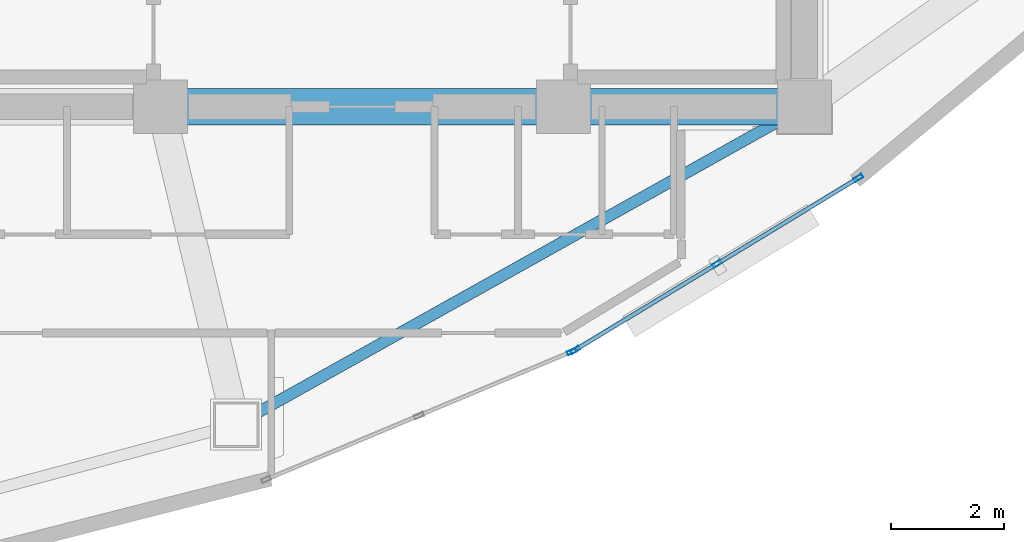
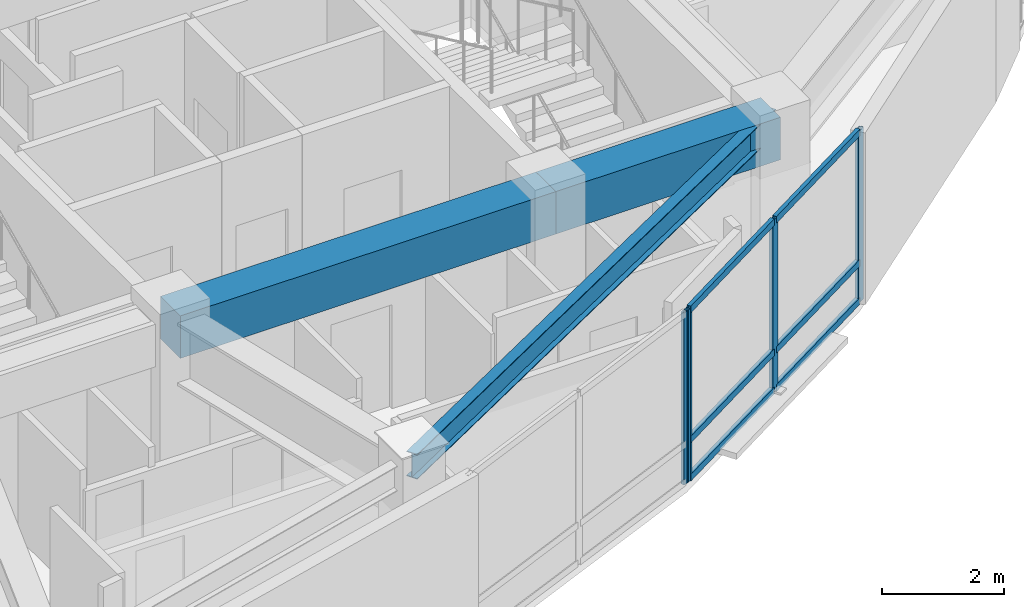
# One storey, part 5 of 15: 10 members, 3 beams, 2 elements without a shape of their own.
"""IFC4 building model written with IfcOpenShell, lengths in metres."""

import ifcopenshell
import ifcopenshell.guid

model = None  # the IFC model being written
_history = None  # IfcOwnerHistory: only IFC2X3 demands one
_inside = {}  # id of a spatial element -> (the spatial element, [elements in it])
_under = {}  # id of a project, library or spatial element -> (it, [spatial elements below it])
_declared = {}  # id of a project -> (the project, [libraries it declares])
_typed = {}  # id of a type object -> (the type object, [elements of that type])
_made_of = {}  # id of a material, layer set ... -> (it, [elements and type objects made of it])


def new_model(schema):
    """Start an empty IFC model of exactly this schema.

    Asked for "IFC4X3", IfcOpenShell would pick the latest addendum, in which some entities
    have other attributes; the version numbers below select the first issue.
    IFC2X3 requires an IfcOwnerHistory on every rooted entity: one is made here for all.
    """
    global model, _history
    if schema == "IFC4X3":
        model = ifcopenshell.file(schema_version=(4, 3, 0, 0))
    else:
        model = ifcopenshell.file(schema=schema)
    _inside.clear()
    _under.clear()
    _declared.clear()
    _typed.clear()
    _made_of.clear()
    _history = None
    if model.schema == "IFC2X3":
        org = make("IfcOrganization", Name="unknown")
        user = make(
            "IfcPersonAndOrganization",
            ThePerson=make("IfcPerson", FamilyName="unknown"),
            TheOrganization=org,
        )
        app = make(
            "IfcApplication",
            ApplicationDeveloper=org,
            Version="unknown",
            ApplicationFullName="unknown",
            ApplicationIdentifier="unknown",
        )
        _history = make(
            "IfcOwnerHistory",
            OwningUser=user,
            OwningApplication=app,
            ChangeAction="ADDED",
            CreationDate=0,
        )
    return model


def make(cls, **values):
    """One entity of the class cls with the attributes given. An attribute that is None is left unset."""
    return model.create_entity(
        cls, **{name: value for name, value in values.items() if value is not None}
    )


def rooted(cls, **values):
    """An entity with a GlobalId (a new one), such as an element, a storey or a relation."""
    return make(cls, GlobalId=ifcopenshell.guid.new(), OwnerHistory=_history, **values)


def si_unit(unit_type, name, prefix=None):
    """IfcSIUnit, for example si_unit("LENGTHUNIT", "METRE", prefix="MILLI")."""
    return make("IfcSIUnit", UnitType=unit_type, Prefix=prefix, Name=name)


def assignment(units):
    """IfcUnitAssignment: the units of a project."""
    return None if units is None else make("IfcUnitAssignment", Units=units)


def point(xyz):
    """IfcCartesianPoint."""
    return None if xyz is None else make("IfcCartesianPoint", Coordinates=xyz)


def direction(xyz):
    """IfcDirection."""
    return None if xyz is None else make("IfcDirection", DirectionRatios=xyz)


def frame(location, z_axis=None, x_axis=None):
    """IfcAxis2Placement3D, a coordinate frame: its origin and axes. An axis left out is left unset."""
    return make(
        "IfcAxis2Placement3D",
        Location=point(location),
        Axis=direction(z_axis),
        RefDirection=direction(x_axis),
    )


def frame_2d(location, x_axis=None):
    """IfcAxis2Placement2D, a coordinate frame in the plane: its origin and x axis."""
    return make(
        "IfcAxis2Placement2D", Location=point(location), RefDirection=direction(x_axis)
    )


def origin():
    """The frame at (0, 0, 0) with its axes left unset."""
    return frame((0.0, 0.0, 0.0))


def origin_2d():
    """The frame at (0, 0) in the plane with its x axis left unset."""
    return frame_2d((0.0, 0.0))


def place(relative_to, where):
    """IfcLocalPlacement: puts the frame where relative to a parent placement (None: the world)."""
    return make(
        "IfcLocalPlacement", PlacementRelTo=relative_to, RelativePlacement=where
    )


def context(
    kind, dimensions, precision=None, world=None, true_north=None, identifier=None
):
    """IfcGeometricRepresentationContext, for example the 3D "Model" context."""
    return make(
        "IfcGeometricRepresentationContext",
        ContextIdentifier=identifier,
        ContextType=kind,
        CoordinateSpaceDimension=dimensions,
        Precision=precision,
        WorldCoordinateSystem=world,
        TrueNorth=true_north,
    )


def subcontext(parent, identifier, kind, view, scale=None):
    """IfcGeometricRepresentationSubContext, for example "Body" below "Model"."""
    return make(
        "IfcGeometricRepresentationSubContext",
        ContextIdentifier=identifier,
        ContextType=kind,
        ParentContext=parent,
        TargetScale=scale,
        TargetView=view,
    )


def project(units=None, contexts=None):
    """IfcProject with its units and contexts."""
    return rooted(
        "IfcProject",
        Name="project",
        RepresentationContexts=contexts,
        UnitsInContext=assignment(units),
    )


def spatial(cls, under=None, at=None, **own):
    """A site, building, storey or space (cls), placed at a placement, below another one or the project."""
    s = rooted(cls, ObjectPlacement=at, **own)
    if under is not None:
        _under.setdefault(under.id(), (under, []))[1].append(s)
    return s


def profile(cls, at=None, kind="AREA", **sizes):
    """A parametric profile (cls). Its sizes go by their IFC names, for example OverallWidth=200.0."""
    return make(cls, ProfileType=kind, Position=at, **sizes)


def rectangle(**sizes):
    """IfcRectangleProfileDef."""
    return profile("IfcRectangleProfileDef", **sizes)


def hollow_rectangle(**sizes):
    """IfcRectangleHollowProfileDef."""
    return profile("IfcRectangleHollowProfileDef", **sizes)


def i_section(**sizes):
    """IfcIShapeProfileDef."""
    return profile("IfcIShapeProfileDef", **sizes)


def extrude(swept, where, along, depth):
    """IfcExtrudedAreaSolid: the profile swept, set in the frame where, extruded along a direction by depth."""
    return make(
        "IfcExtrudedAreaSolid",
        SweptArea=swept,
        Position=where,
        ExtrudedDirection=direction(along),
        Depth=depth,
    )


def shape(context_of_items, identifier, shape_type, items):
    """IfcShapeRepresentation: the items that make up one representation, for example the "Body"."""
    return make(
        "IfcShapeRepresentation",
        ContextOfItems=context_of_items,
        RepresentationIdentifier=identifier,
        RepresentationType=shape_type,
        Items=items,
    )


def material(Name=None, Category=None):
    """IfcMaterial."""
    return make("IfcMaterial", Name=Name, Category=Category)


def layer(
    of_material, thickness, ventilated=None, Name=None, Category=None, Priority=None
):
    """IfcMaterialLayer: one layer of a wall or slab, of a material (None: an air gap)."""
    return make(
        "IfcMaterialLayer",
        Material=of_material,
        LayerThickness=thickness,
        IsVentilated=ventilated,
        Name=Name,
        Category=Category,
        Priority=Priority,
    )


def layer_set(layers, Name=None):
    """IfcMaterialLayerSet."""
    return make("IfcMaterialLayerSet", MaterialLayers=layers, LayerSetName=Name)


def material_profile(
    of_material, cross_section, Name=None, Category=None, Priority=None
):
    """IfcMaterialProfile: a cross section and its material."""
    return make(
        "IfcMaterialProfile",
        Name=Name,
        Material=of_material,
        Profile=cross_section,
        Priority=Priority,
        Category=Category,
    )


def profile_set(profiles, Name=None, composite=None):
    """IfcMaterialProfileSet."""
    return make(
        "IfcMaterialProfileSet",
        Name=Name,
        MaterialProfiles=profiles,
        CompositeProfile=composite,
    )


def made_of(thing, what):
    """Note that an element or type object is made of a material, layer set ...; save() writes the relation."""
    if what is not None:
        _made_of.setdefault(what.id(), (what, []))[1].append(thing)
    return thing


def type_object(cls, material=None, **own):
    """A type object (cls), such as IfcWallType, which elements share."""
    return made_of(rooted(cls, **own), material)


def element(
    cls,
    number,
    at=None,
    inside=None,
    cuts=None,
    type_object=None,
    material=None,
    context=None,
    identifier="Body",
    shape_type=None,
    held_by="IfcProductDefinitionShape",
    body=None,
    shapes=None,
    **own,
):
    """One element of the class cls, such as IfcWall. Its Tag is "e" and its number.

    at: its placement. inside: the storey or other place that contains it. cuts: it is an
    opening in that element (IfcRelVoidsElement). A single representation is given by context,
    identifier, shape_type and body (its items); several are given by shapes. held_by: the class
    of the entity that holds the representations. save() writes the other relations.
    """
    e = rooted(cls, Tag="e%d" % number, ObjectPlacement=at, **own)
    if body is not None:
        shapes = [shape(context, identifier, shape_type, body)]
    if shapes is not None:
        e.Representation = make(held_by, Representations=shapes)
    if inside is not None:
        _inside.setdefault(inside.id(), (inside, []))[1].append(e)
    if cuts is not None:
        rooted(
            "IfcRelVoidsElement", RelatingBuildingElement=cuts, RelatedOpeningElement=e
        )
    if type_object is not None:
        _typed.setdefault(type_object.id(), (type_object, []))[1].append(e)
    return made_of(e, material)


def aggregate(whole, parts):
    """IfcRelAggregates: a whole, such as a stair, and the parts it consists of."""
    return rooted("IfcRelAggregates", RelatingObject=whole, RelatedObjects=parts)


def save(model, path):
    """Write the relations noted so far, then the file.

    IfcRelAggregates (storeys below a building ...), IfcRelContainedInSpatialStructure (elements
    in a storey), IfcRelDefinesByType, IfcRelAssociatesMaterial and IfcRelDeclares: one each for
    every whole, place, type object, material and project.
    """
    for whole, parts in _under.values():
        aggregate(whole, parts)
    for where, things in _inside.values():
        rooted(
            "IfcRelContainedInSpatialStructure",
            RelatedElements=things,
            RelatingStructure=where,
        )
    for kind, things in _typed.values():
        rooted("IfcRelDefinesByType", RelatedObjects=things, RelatingType=kind)
    for what, things in _made_of.values():
        rooted("IfcRelAssociatesMaterial", RelatedObjects=things, RelatingMaterial=what)
    for by, libraries in _declared.values():
        rooted("IfcRelDeclares", RelatingContext=by, RelatedDefinitions=libraries)
    model.write(path)


model = new_model("IFC4")

# Units and contexts
model_context = context("Model", 3, precision=1e-05, world=origin(), true_north=direction((0.0, 1.0)))
body_context = subcontext(model_context, "Body", "Model", "MODEL_VIEW")
ifc_project = project(units=[si_unit("LENGTHUNIT", "METRE"), si_unit("AREAUNIT", "SQUARE_METRE"), si_unit("VOLUMEUNIT", "CUBIC_METRE"), si_unit("PLANEANGLEUNIT", "RADIAN"), si_unit("MASSUNIT", "GRAM", prefix="KILO")], contexts=[model_context])

# Site, building, storey
site_placement = place(None, origin())
site = spatial("IfcSite", under=ifc_project, at=site_placement, CompositionType="ELEMENT")
building_placement = place(site_placement, origin())
building = spatial("IfcBuilding", under=site, at=building_placement, Name="Menara Vayukalpa", CompositionType="ELEMENT")
storey_placement = place(building_placement, frame((0.0, 0.0, 295.5)))
storey = spatial("IfcBuildingStorey", under=building, at=storey_placement, Name="L75", CompositionType="ELEMENT", Elevation=295.5)

# Beams
ifc_material_1 = material(Name="Concrete C60/75", Category="concrete")
ifc_material_profile_1 = material_profile(ifc_material_1, rectangle(XDim=0.64990234375, YDim=0.85009765625, at=origin_2d()), Name="RC 650x850")
ifc_profile_set_1 = profile_set([ifc_material_profile_1], Name="Concrete C60/75")
beam_type_1 = type_object("IfcBeamType", Name="BM-CB1", PredefinedType="BEAM", material=ifc_profile_set_1)
beam_1_placement = place(storey_placement, frame((22.050048828125, 17.199951171875, 3.014892578125), z_axis=(1.0, 0.0, 0.0), x_axis=(0.0, 1.0, 0.0)))
element("IfcBeam", 1, at=beam_1_placement, inside=storey, type_object=beam_type_1, Name="L75 Core Tie Beam CBR2", PredefinedType="BEAM", context=body_context, shape_type="SweptSolid", body=[
    extrude(rectangle(XDim=0.64990234375, YDim=0.85009765625, at=origin_2d()), origin(), (0.0, 0.0, 1.0), 7.099853515625),
])
beam_2_placement = place(storey_placement, frame((29.14990234375, 17.199951171875, 3.014892578125), z_axis=(1.0, 0.0, 0.0), x_axis=(0.0, 1.0, 0.0)))
element("IfcBeam", 2, at=beam_2_placement, inside=storey, type_object=beam_type_1, Name="L75 Core Tie Beam CBR3", PredefinedType="BEAM", context=body_context, shape_type="SweptSolid", body=[
    extrude(rectangle(XDim=0.64990234375, YDim=0.85009765625, at=origin_2d()), origin(), (0.0, 0.0, 1.0), 4.25),
])
ifc_material_2 = material(Name="Steel S355", Category="steel")
ifc_material_profile_2 = material_profile(ifc_material_2, i_section(OverallWidth=0.199951171875, OverallDepth=0.5, WebThickness=0.010009765625, FlangeThickness=0.01611328125, at=origin_2d()), Name="WF 500x200x10x16")
ifc_profile_set_2 = profile_set([ifc_material_profile_2], Name="Steel S355")
beam_type_2 = type_object("IfcBeamType", Name="BM-SP3", PredefinedType="SPANDREL", material=ifc_profile_set_2)
beam_3_placement = place(storey_placement, frame((23.3818359375, 11.59521484375, 3.18994140625), z_axis=(0.87270577288, 0.48824648896, 0.0), x_axis=(-0.48824648896, 0.87270577288, 0.0)))
element("IfcBeam", 3, at=beam_3_placement, inside=storey, type_object=beam_type_2, Name="L75 Perimeter Spandrel Beam SP08", PredefinedType="SPANDREL", context=body_context, shape_type="SweptSolid", body=[
    extrude(i_section(OverallWidth=0.199951171875, OverallDepth=0.5, WebThickness=0.010009765625, FlangeThickness=0.01611328125, at=origin_2d()), origin(), (0.0, 0.0, 1.0), 11.479248046875),
])

# Curtain wall, member
ifc_material_3 = material(Name="Anodised Terracotta Aluminium Alloy 6063-T6", Category="masonry")
ifc_layer = layer(ifc_material_3, 0.1650390625)
ifc_layer_set = layer_set([ifc_layer], Name="Anodised Terracotta Aluminium Alloy 6063-T6")
curtain_wall_type = type_object("IfcCurtainWallType", Name="CW-CW6", PredefinedType="USERDEFINED", material=ifc_layer_set)
curtain_wall_1_placement = place(storey_placement, origin())
curtain_wall_1 = element("IfcCurtainWall", 4, at=curtain_wall_1_placement, inside=storey, type_object=curtain_wall_type, Name="L75 Observation and Executive Curtain Wall CW6 16", ObjectType="UNITISED", PredefinedType="USERDEFINED")
ifc_material_4 = material(Name="Anodised Terracotta Aluminium Alloy 6063-T6", Category="masonry")
ifc_material_profile_3 = material_profile(ifc_material_4, hollow_rectangle(XDim=0.070068359375, YDim=0.1650390625, WallThickness=0.00390625, at=origin_2d()), Name="ALU 70x165x4")
ifc_profile_set_3 = profile_set([ifc_material_profile_3], Name="Anodised Terracotta Aluminium Alloy 6063-T6")
member_type_1 = type_object("IfcMemberType", Name="CWM-CW6", PredefinedType="MULLION", material=ifc_profile_set_3)
member_1_placement = place(storey_placement, frame((29.298828125, 12.881103515625, 0.0), z_axis=(0.0, 0.0, 1.0), x_axis=(-0.385899911703, 0.922540653927, 0.0)))
member_1 = element("IfcMember", 5, at=member_1_placement, type_object=member_type_1, Name="CW6 mullion 3", PredefinedType="MULLION", context=body_context, shape_type="SweptSolid", body=[
    extrude(hollow_rectangle(XDim=0.070068359375, YDim=0.1650390625, WallThickness=0.00390625, at=origin_2d()), origin(), (0.0, 0.0, 1.0), 3.43994140625),
])
aggregate(curtain_wall_1, [member_1])

# Curtain wall, members
curtain_wall_2_placement = place(storey_placement, origin())
curtain_wall_2 = element("IfcCurtainWall", 6, at=curtain_wall_2_placement, inside=storey, type_object=curtain_wall_type, Name="L75 Observation and Executive Curtain Wall CW6 17", ObjectType="UNITISED", PredefinedType="USERDEFINED")
member_2_placement = place(storey_placement, frame((29.36083984375, 12.912841796875, 0.0), z_axis=(0.0, 0.0, 1.0), x_axis=(-0.519175574558, 0.854667609532, 0.0)))
member_2 = element("IfcMember", 7, at=member_2_placement, type_object=member_type_1, Name="CW6 mullion 1", PredefinedType="MULLION", context=body_context, shape_type="SweptSolid", body=[
    extrude(hollow_rectangle(XDim=0.070068359375, YDim=0.1650390625, WallThickness=0.00390625, at=origin_2d()), origin(), (0.0, 0.0, 1.0), 3.43994140625),
])
member_3_placement = place(storey_placement, frame((31.85546875, 14.42822265625, 0.0), z_axis=(0.0, 0.0, 1.0), x_axis=(-0.519175574558, 0.854667609532, 0.0)))
member_3 = element("IfcMember", 8, at=member_3_placement, type_object=member_type_1, Name="CW6 mullion 2", PredefinedType="MULLION", context=body_context, shape_type="SweptSolid", body=[
    extrude(hollow_rectangle(XDim=0.070068359375, YDim=0.1650390625, WallThickness=0.00390625, at=origin_2d()), origin(), (0.0, 0.0, 1.0), 3.43994140625),
])
member_4_placement = place(storey_placement, frame((34.35009765625, 15.943603515625, 0.0), z_axis=(0.0, 0.0, 1.0), x_axis=(-0.519175574558, 0.854667609532, 0.0)))
member_4 = element("IfcMember", 9, at=member_4_placement, type_object=member_type_1, Name="CW6 mullion 3", PredefinedType="MULLION", context=body_context, shape_type="SweptSolid", body=[
    extrude(hollow_rectangle(XDim=0.070068359375, YDim=0.1650390625, WallThickness=0.00390625, at=origin_2d()), origin(), (0.0, 0.0, 1.0), 3.43994140625),
])
ifc_material_5 = material(Name="Anodised Terracotta Aluminium Alloy 6063-T6", Category="masonry")
ifc_material_profile_4 = material_profile(ifc_material_5, hollow_rectangle(XDim=0.074951171875, YDim=0.135009765625, WallThickness=0.00390625, at=origin_2d()), Name="ALU 75x135x4")
ifc_profile_set_4 = profile_set([ifc_material_profile_4], Name="Anodised Terracotta Aluminium Alloy 6063-T6")
member_type_2 = type_object("IfcMemberType", Name="CWT-CW6", PredefinedType="USERDEFINED", material=ifc_profile_set_4)
member_5_placement = place(storey_placement, frame((29.390869140625, 12.93115234375, 0.03759765625), z_axis=(0.854689729536, 0.519139158825, 0.0), x_axis=(-0.519139158825, 0.854689729536, 0.0)))
member_5 = element("IfcMember", 10, at=member_5_placement, type_object=member_type_2, Name="CW6 transom 1.1", ObjectType="TRANSOM", PredefinedType="USERDEFINED", context=body_context, shape_type="SweptSolid", body=[
    extrude(hollow_rectangle(XDim=0.074951171875, YDim=0.135009765625, WallThickness=0.00390625, at=origin_2d()), origin(), (0.0, 0.0, 1.0), 2.848388671875),
])
member_6_placement = place(storey_placement, frame((29.390869140625, 12.93115234375, 0.800048828125), z_axis=(0.854689729536, 0.519139158825, 0.0), x_axis=(-0.519139158825, 0.854689729536, 0.0)))
member_6 = element("IfcMember", 11, at=member_6_placement, type_object=member_type_2, Name="CW6 transom 1.2", ObjectType="TRANSOM", PredefinedType="USERDEFINED", context=body_context, shape_type="SweptSolid", body=[
    extrude(hollow_rectangle(XDim=0.074951171875, YDim=0.135009765625, WallThickness=0.00390625, at=origin_2d()), origin(), (0.0, 0.0, 1.0), 2.848388671875),
])
member_7_placement = place(storey_placement, frame((29.390869140625, 12.93115234375, 3.402587890625), z_axis=(0.854689729536, 0.519139158825, 0.0), x_axis=(-0.519139158825, 0.854689729536, 0.0)))
member_7 = element("IfcMember", 12, at=member_7_placement, type_object=member_type_2, Name="CW6 transom 1.3", ObjectType="TRANSOM", PredefinedType="USERDEFINED", context=body_context, shape_type="SweptSolid", body=[
    extrude(hollow_rectangle(XDim=0.074951171875, YDim=0.135009765625, WallThickness=0.00390625, at=origin_2d()), origin(), (0.0, 0.0, 1.0), 2.848388671875),
])
member_8_placement = place(storey_placement, frame((31.88525390625, 14.4462890625, 0.03759765625), z_axis=(0.854674800659, 0.519163736328, 0.0), x_axis=(-0.519163736328, 0.85467480066, 0.0)))
member_8 = element("IfcMember", 13, at=member_8_placement, type_object=member_type_2, Name="CW6 transom 2.1", ObjectType="TRANSOM", PredefinedType="USERDEFINED", context=body_context, shape_type="SweptSolid", body=[
    extrude(hollow_rectangle(XDim=0.074951171875, YDim=0.135009765625, WallThickness=0.00390625, at=origin_2d()), origin(), (0.0, 0.0, 1.0), 2.848876953125),
])
member_9_placement = place(storey_placement, frame((31.88525390625, 14.4462890625, 0.800048828125), z_axis=(0.854674800659, 0.519163736328, 0.0), x_axis=(-0.519163736328, 0.85467480066, 0.0)))
member_9 = element("IfcMember", 14, at=member_9_placement, type_object=member_type_2, Name="CW6 transom 2.2", ObjectType="TRANSOM", PredefinedType="USERDEFINED", context=body_context, shape_type="SweptSolid", body=[
    extrude(hollow_rectangle(XDim=0.074951171875, YDim=0.135009765625, WallThickness=0.00390625, at=origin_2d()), origin(), (0.0, 0.0, 1.0), 2.848876953125),
])
member_10_placement = place(storey_placement, frame((31.88525390625, 14.4462890625, 3.402587890625), z_axis=(0.854674800659, 0.519163736328, 0.0), x_axis=(-0.519163736328, 0.85467480066, 0.0)))
member_10 = element("IfcMember", 15, at=member_10_placement, type_object=member_type_2, Name="CW6 transom 2.3", ObjectType="TRANSOM", PredefinedType="USERDEFINED", context=body_context, shape_type="SweptSolid", body=[
    extrude(hollow_rectangle(XDim=0.074951171875, YDim=0.135009765625, WallThickness=0.00390625, at=origin_2d()), origin(), (0.0, 0.0, 1.0), 2.848876953125),
])
aggregate(curtain_wall_2, [member_2, member_3, member_4, member_5, member_6, member_7, member_8, member_9, member_10])

save(model, "model.ifc")
